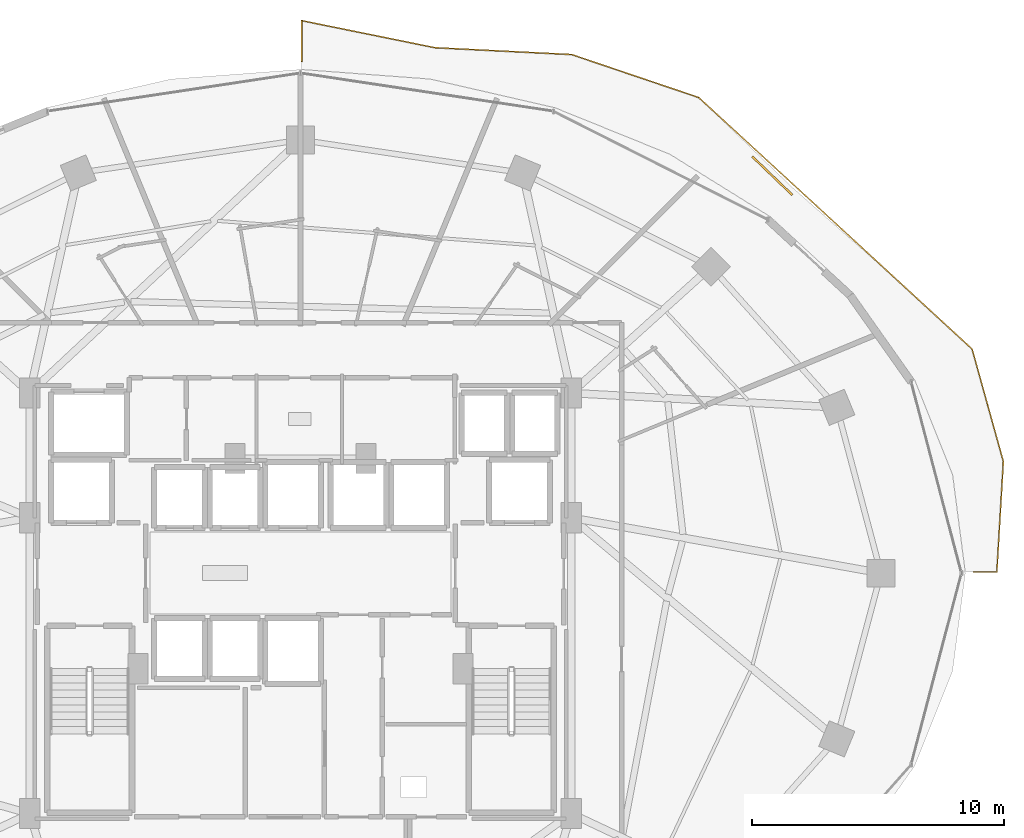
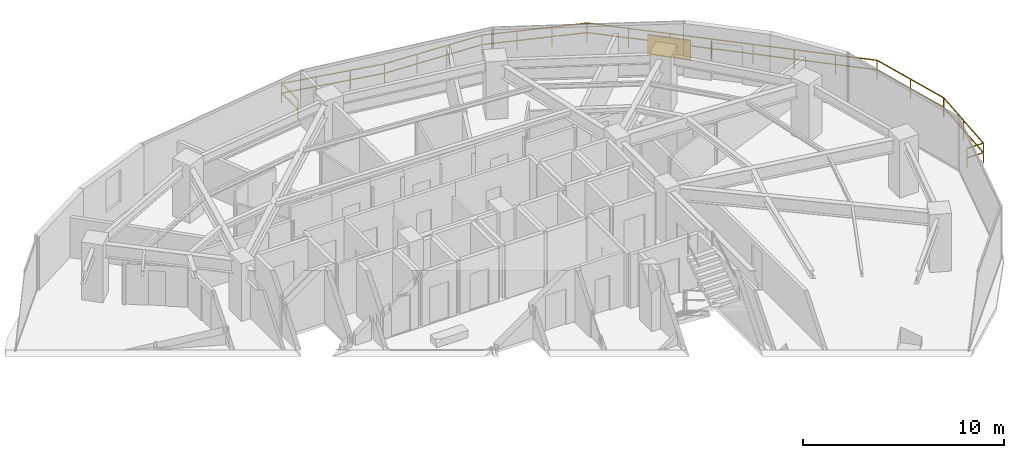
# One storey, part 29 of 30: 2 railings, 1 shading device.
"""IFC4 building model written with IfcOpenShell, lengths in metres."""

from ifc_helpers import new_model, si_unit, direction, frame, origin, origin_2d, place, context, subcontext, project, spatial, rectangle, extrude, material, type_object, element, save


model = new_model("IFC4")

# Units and contexts
model_context = context("Model", 3, precision=1e-05, world=origin(), true_north=direction((0.0, 1.0)))
body_context = subcontext(model_context, "Body", "Model", "MODEL_VIEW")
ifc_project = project(units=[si_unit("LENGTHUNIT", "METRE"), si_unit("AREAUNIT", "SQUARE_METRE"), si_unit("VOLUMEUNIT", "CUBIC_METRE"), si_unit("PLANEANGLEUNIT", "RADIAN"), si_unit("MASSUNIT", "GRAM", prefix="KILO")], contexts=[model_context])

# Site, building, storey
site_placement = place(None, origin())
site = spatial("IfcSite", under=ifc_project, at=site_placement, CompositionType="ELEMENT")
building_placement = place(site_placement, origin())
building = spatial("IfcBuilding", under=site, at=building_placement, Name="Vorneva Point Tower", CompositionType="ELEMENT")
storey_placement = place(building_placement, frame((0.0, 0.0, 106.800048828125)))
storey = spatial("IfcBuildingStorey", under=building, at=storey_placement, Name="L28", CompositionType="ELEMENT", Elevation=106.800048828125)

# Railings
ifc_material = material(Name="Pale anodised aluminium", Category="aluminium")
railing_type = type_object("IfcRailingType", Name="RL-BAL-1200", PredefinedType="BALUSTRADE", material=ifc_material)
railing_1_placement = place(storey_placement, frame((38.050048828125, 47.939697265625, 0.0)))
element("IfcRailing", 1, at=railing_1_placement, inside=storey, type_object=railing_type, Name="L28 Wave Balcony Balustrade NE.1", PredefinedType="BALUSTRADE", context=body_context, shape_type="SweptSolid", body=[
    extrude(rectangle(XDim=0.048095703125, YDim=0.048095703125, at=origin_2d()), frame((0.0, 0.0, 1.17578125), z_axis=(0.0, -1.0, 0.0), x_axis=(1.0, 0.0, 0.0)), (0.0, 0.0, 1.0), 1.62255859375),
    extrude(rectangle(XDim=0.048095703125, YDim=0.048095703125, at=origin_2d()), frame((0.0, 0.0, 0.60009765625), z_axis=(0.0, -1.0, 0.0), x_axis=(1.0, 0.0, 0.0)), (0.0, 0.0, 1.0), 1.62255859375),
    extrude(rectangle(XDim=0.0419921875, YDim=0.0419921875, at=origin_2d()), origin(), (0.0, 0.0, 1.0), 1.15185546875),
    extrude(rectangle(XDim=0.0419921875, YDim=0.0419921875, at=origin_2d()), frame((0.0, -1.62255859375, 0.0)), (0.0, 0.0, 1.0), 1.15185546875),
])
railing_2_placement = place(storey_placement, frame((64.71630859375, 26.050048828125, 0.0)))
element("IfcRailing", 2, at=railing_2_placement, inside=storey, type_object=railing_type, Name="L28 Wave Balcony Balustrade NE.2", PredefinedType="BALUSTRADE", context=body_context, shape_type="SweptSolid", body=[
    extrude(rectangle(XDim=0.048095703125, YDim=0.048095703125, at=origin_2d()), frame((0.0, 0.0, 1.17578125), z_axis=(1.0, 0.0, 0.0), x_axis=(0.0, 1.0, 0.0)), (0.0, 0.0, 1.0), 0.9365234375),
    extrude(rectangle(XDim=0.048095703125, YDim=0.048095703125, at=origin_2d()), frame((0.0, 0.0, 0.60009765625), z_axis=(1.0, 0.0, 0.0), x_axis=(0.0, 1.0, 0.0)), (0.0, 0.0, 1.0), 0.9365234375),
    extrude(rectangle(XDim=0.048095703125, YDim=0.048095703125, at=origin_2d()), frame((0.9365234375, 0.0, 1.17578125), z_axis=(0.058793756589, 0.998270150904, 0.0), x_axis=(-0.998270150904, 0.058793756589, 0.0)), (0.0, 0.0, 1.0), 4.38916015625),
    extrude(rectangle(XDim=0.048095703125, YDim=0.048095703125, at=origin_2d()), frame((0.9365234375, 0.0, 0.60009765625), z_axis=(0.058793756589, 0.998270150904, 0.0), x_axis=(-0.998270150904, 0.058793756589, 0.0)), (0.0, 0.0, 1.0), 4.38916015625),
    extrude(rectangle(XDim=0.048095703125, YDim=0.048095703125, at=origin_2d()), frame((1.194580078125, 4.381591796875, 1.17578125), z_axis=(-0.267871946418, 0.963454524263, 0.0), x_axis=(-0.963454524263, -0.267871946418, 0.0)), (0.0, 0.0, 1.0), 4.63720703125),
    extrude(rectangle(XDim=0.048095703125, YDim=0.048095703125, at=origin_2d()), frame((1.194580078125, 4.381591796875, 0.60009765625), z_axis=(-0.267871946418, 0.963454524263, 0.0), x_axis=(-0.963454524263, -0.267871946418, 0.0)), (0.0, 0.0, 1.0), 4.63720703125),
    extrude(rectangle(XDim=0.048095703125, YDim=0.048095703125, at=origin_2d()), frame((-0.047607421875, 8.849365234375, 1.17578125), z_axis=(-0.735947501629, 0.677038606614, 0.0), x_axis=(-0.677038606614, -0.735947501629, 0.0)), (0.0, 0.0, 1.0), 14.75390625),
    extrude(rectangle(XDim=0.048095703125, YDim=0.048095703125, at=origin_2d()), frame((-0.047607421875, 8.849365234375, 0.60009765625), z_axis=(-0.735947501629, 0.677038606614, 0.0), x_axis=(-0.677038606614, -0.735947501629, 0.0)), (0.0, 0.0, 1.0), 14.75390625),
    extrude(rectangle(XDim=0.048095703125, YDim=0.048095703125, at=origin_2d()), frame((-10.90576171875, 18.83837890625, 1.17578125), z_axis=(-0.947317253015, 0.320296771979, 0.0), x_axis=(-0.320296771979, -0.947317253015, 0.0)), (0.0, 0.0, 1.0), 5.32421875),
    extrude(rectangle(XDim=0.048095703125, YDim=0.048095703125, at=origin_2d()), frame((-10.90576171875, 18.83837890625, 0.60009765625), z_axis=(-0.947317253015, 0.320296771979, 0.0), x_axis=(-0.320296771979, -0.947317253015, 0.0)), (0.0, 0.0, 1.0), 5.32421875),
    extrude(rectangle(XDim=0.048095703125, YDim=0.048095703125, at=origin_2d()), frame((-15.949462890625, 20.543701171875, 1.17578125), z_axis=(-0.998753906669, 0.049906251251, 0.0), x_axis=(-0.049906251251, -0.998753906669, 0.0)), (0.0, 0.0, 1.0), 5.43505859375),
    extrude(rectangle(XDim=0.048095703125, YDim=0.048095703125, at=origin_2d()), frame((-15.949462890625, 20.543701171875, 0.60009765625), z_axis=(-0.998753906669, 0.049906251251, 0.0), x_axis=(-0.049906251251, -0.998753906669, 0.0)), (0.0, 0.0, 1.0), 5.43505859375),
    extrude(rectangle(XDim=0.048095703125, YDim=0.048095703125, at=origin_2d()), frame((-21.377685546875, 20.81494140625, 1.17578125), z_axis=(-0.97997049327, 0.199142743578, 0.0), x_axis=(-0.199142743578, -0.97997049327, 0.0)), (0.0, 0.0, 1.0), 5.396728515625),
    extrude(rectangle(XDim=0.048095703125, YDim=0.048095703125, at=origin_2d()), frame((-21.377685546875, 20.81494140625, 0.60009765625), z_axis=(-0.97997049327, 0.199142743578, 0.0), x_axis=(-0.199142743578, -0.97997049327, 0.0)), (0.0, 0.0, 1.0), 5.396728515625),
    extrude(rectangle(XDim=0.0419921875, YDim=0.0419921875, at=origin_2d()), origin(), (0.0, 0.0, 1.0), 1.15185546875),
    extrude(rectangle(XDim=0.0419921875, YDim=0.0419921875, at=origin_2d()), frame((0.9365234375, 0.0, 0.0)), (0.0, 0.0, 1.0), 1.15185546875),
    extrude(rectangle(XDim=0.0419921875, YDim=0.0419921875, at=origin_2d()), frame((1.0654296875, 2.19091796875, 0.0)), (0.0, 0.0, 1.0), 1.15185546875),
    extrude(rectangle(XDim=0.0419921875, YDim=0.0419921875, at=origin_2d()), frame((1.194580078125, 4.381591796875, 0.0)), (0.0, 0.0, 1.0), 1.15185546875),
    extrude(rectangle(XDim=0.0419921875, YDim=0.0419921875, at=origin_2d()), frame((0.573486328125, 6.615478515625, 0.0)), (0.0, 0.0, 1.0), 1.15185546875),
    extrude(rectangle(XDim=0.0419921875, YDim=0.0419921875, at=origin_2d()), frame((-0.047607421875, 8.849365234375, 0.0)), (0.0, 0.0, 1.0), 1.15185546875),
    extrude(rectangle(XDim=0.0419921875, YDim=0.0419921875, at=origin_2d()), frame((-1.598876953125, 10.2763671875, 0.0)), (0.0, 0.0, 1.0), 1.15185546875),
    extrude(rectangle(XDim=0.0419921875, YDim=0.0419921875, at=origin_2d()), frame((-3.14990234375, 11.703369140625, 0.0)), (0.0, 0.0, 1.0), 1.15185546875),
    extrude(rectangle(XDim=0.0419921875, YDim=0.0419921875, at=origin_2d()), frame((-4.701171875, 13.13037109375, 0.0)), (0.0, 0.0, 1.0), 1.15185546875),
    extrude(rectangle(XDim=0.0419921875, YDim=0.0419921875, at=origin_2d()), frame((-6.252197265625, 14.557373046875, 0.0)), (0.0, 0.0, 1.0), 1.15185546875),
    extrude(rectangle(XDim=0.0419921875, YDim=0.0419921875, at=origin_2d()), frame((-7.803466796875, 15.984375, 0.0)), (0.0, 0.0, 1.0), 1.15185546875),
    extrude(rectangle(XDim=0.0419921875, YDim=0.0419921875, at=origin_2d()), frame((-9.3544921875, 17.411376953125, 0.0)), (0.0, 0.0, 1.0), 1.15185546875),
    extrude(rectangle(XDim=0.0419921875, YDim=0.0419921875, at=origin_2d()), frame((-10.90576171875, 18.83837890625, 0.0)), (0.0, 0.0, 1.0), 1.15185546875),
    extrude(rectangle(XDim=0.0419921875, YDim=0.0419921875, at=origin_2d()), frame((-12.5869140625, 19.40673828125, 0.0)), (0.0, 0.0, 1.0), 1.15185546875),
    extrude(rectangle(XDim=0.0419921875, YDim=0.0419921875, at=origin_2d()), frame((-14.268310546875, 19.975341796875, 0.0)), (0.0, 0.0, 1.0), 1.15185546875),
    extrude(rectangle(XDim=0.0419921875, YDim=0.0419921875, at=origin_2d()), frame((-15.949462890625, 20.543701171875, 0.0)), (0.0, 0.0, 1.0), 1.15185546875),
    extrude(rectangle(XDim=0.0419921875, YDim=0.0419921875, at=origin_2d()), frame((-17.7587890625, 20.634033203125, 0.0)), (0.0, 0.0, 1.0), 1.15185546875),
    extrude(rectangle(XDim=0.0419921875, YDim=0.0419921875, at=origin_2d()), frame((-19.568359375, 20.724609375, 0.0)), (0.0, 0.0, 1.0), 1.15185546875),
    extrude(rectangle(XDim=0.0419921875, YDim=0.0419921875, at=origin_2d()), frame((-21.377685546875, 20.81494140625, 0.0)), (0.0, 0.0, 1.0), 1.15185546875),
    extrude(rectangle(XDim=0.0419921875, YDim=0.0419921875, at=origin_2d()), frame((-23.140625, 21.173095703125, 0.0)), (0.0, 0.0, 1.0), 1.15185546875),
    extrude(rectangle(XDim=0.0419921875, YDim=0.0419921875, at=origin_2d()), frame((-24.9033203125, 21.531494140625, 0.0)), (0.0, 0.0, 1.0), 1.15185546875),
    extrude(rectangle(XDim=0.0419921875, YDim=0.0419921875, at=origin_2d()), frame((-26.666259765625, 21.8896484375, 0.0)), (0.0, 0.0, 1.0), 1.15185546875),
])

# Shading device
shading_device_type = type_object("IfcShadingDeviceType", Name="SHD-JAL-1200", PredefinedType="JALOUSIE", material=ifc_material)
shading_device_placement = place(storey_placement, frame((56.73095703125, 41.78125, -0.02001953125), z_axis=(0.0, 0.0, 1.0), x_axis=(-0.721349375015, 0.692571353122, 0.0)))
element("IfcShadingDevice", 3, at=shading_device_placement, inside=storey, type_object=shading_device_type, Name="L28 Balcony Vertical-Greenery Planter Screen NE.2", PredefinedType="JALOUSIE", context=body_context, shape_type="SweptSolid", body=[
    extrude(rectangle(XDim=2.199951171875, YDim=0.080078125, at=origin_2d()), origin(), (0.0, 0.0, 1.0), 1.199951171875),
])

save(model, "model.ifc")
